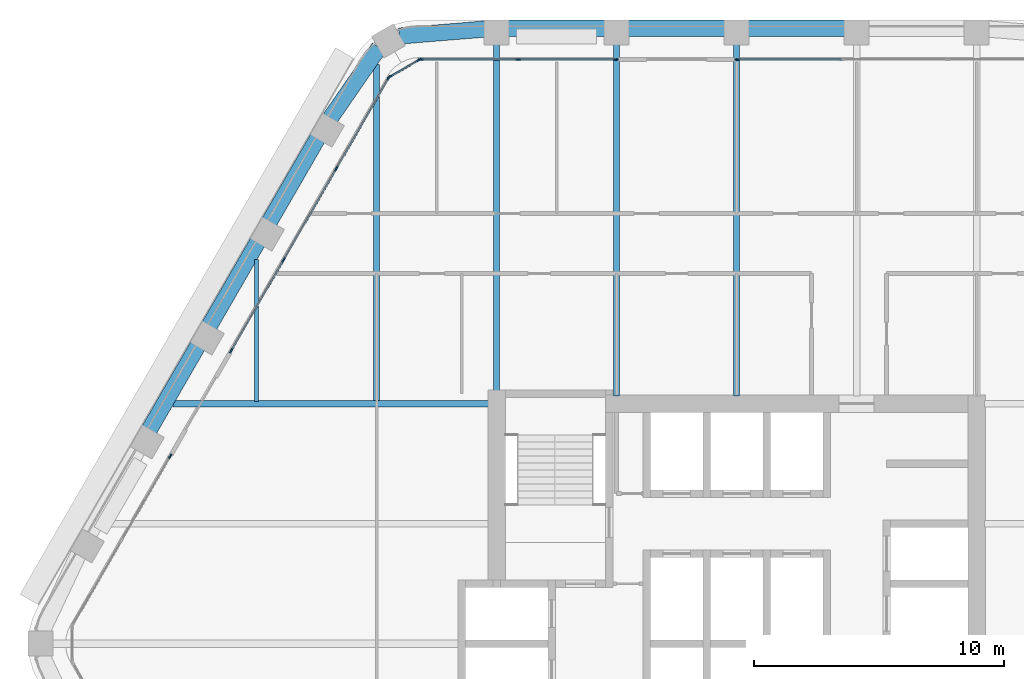
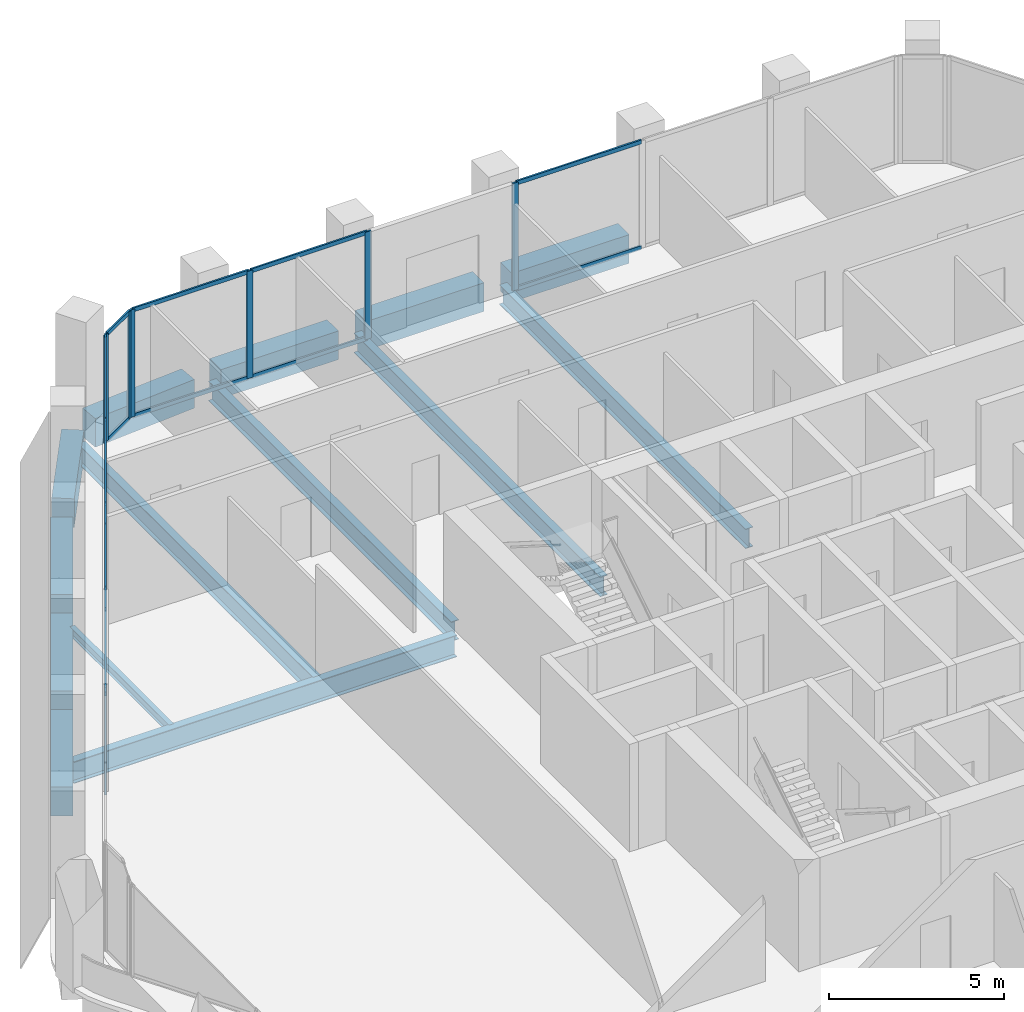
# One storey, part 5 of 15: 25 members, 14 beams, 5 elements without a shape of their own.
"""IFC4 building model written with IfcOpenShell, lengths in metres."""

from ifc_helpers import new_model, si_unit, direction, frame, origin, origin_2d, place, context, subcontext, project, spatial, rectangle, i_section, extrude, material, material_profile, profile_set, type_object, element, aggregate, save


model = new_model("IFC4")

# Units and contexts
model_context = context("Model", 3, precision=1e-05, world=origin(), true_north=direction((0.0, 1.0)))
body_context = subcontext(model_context, "Body", "Model", "MODEL_VIEW")
ifc_project = project(units=[si_unit("LENGTHUNIT", "METRE"), si_unit("AREAUNIT", "SQUARE_METRE"), si_unit("VOLUMEUNIT", "CUBIC_METRE"), si_unit("PLANEANGLEUNIT", "RADIAN"), si_unit("MASSUNIT", "GRAM", prefix="KILO")], contexts=[model_context])

# Site, building, storey
site_placement = place(None, origin())
site = spatial("IfcSite", under=ifc_project, at=site_placement, CompositionType="ELEMENT")
building_placement = place(site_placement, origin())
building = spatial("IfcBuilding", under=site, at=building_placement, Name="Kolab Exchange Tower", CompositionType="ELEMENT")
storey_placement = place(building_placement, frame((0.0, 0.0, 189.5)))
storey = spatial("IfcBuildingStorey", under=building, at=storey_placement, Name="L40", CompositionType="ELEMENT", Elevation=189.5)

# Beams
ifc_material_1 = material(Name="Steel S355", Category="steel")
ifc_material_profile_1 = material_profile(ifc_material_1, i_section(OverallWidth=0.1650390625, OverallDepth=0.31005859375, WebThickness=0.005859375, FlangeThickness=0.009765625, at=origin_2d()), Name="W310X39")
ifc_profile_set_1 = profile_set([ifc_material_profile_1], Name="Steel S355")
beam_type_1 = type_object("IfcBeamType", Name="FLOOR BEAM W310X39", PredefinedType="BEAM", material=ifc_profile_set_1)
beam_1_placement = place(storey_placement, frame((-19.199951171875, 9.693603515625, -0.304931640625), z_axis=(0.0, 1.0, 0.0), x_axis=(-1.0, 0.0, 0.0)))
element("IfcBeam", 1, at=beam_1_placement, inside=storey, type_object=beam_type_1, Name="beam/L40/fr/004", PredefinedType="BEAM", context=body_context, shape_type="SweptSolid", body=[
    extrude(i_section(OverallWidth=0.1650390625, OverallDepth=0.31005859375, WebThickness=0.005859375, FlangeThickness=0.009765625, at=origin_2d()), origin(), (0.0, 0.0, 1.0), 5.674072265625),
])
ifc_material_profile_2 = material_profile(ifc_material_1, i_section(OverallWidth=0.25390625, OverallDepth=0.68408203125, WebThickness=0.012451171875, FlangeThickness=0.018798828125, at=origin_2d()), Name="W690X140")
ifc_profile_set_2 = profile_set([ifc_material_profile_2], Name="Steel S355")
beam_type_2 = type_object("IfcBeamType", Name="FLOOR BEAM W690X140", PredefinedType="BEAM", material=ifc_profile_set_2)
beam_2_placement = place(storey_placement, frame((-14.39990234375, 9.693603515625, -0.491943359375), z_axis=(0.0, 1.0, 0.0), x_axis=(-1.0, 0.0, 0.0)))
element("IfcBeam", 2, at=beam_2_placement, inside=storey, type_object=beam_type_2, Name="beam/L40/fr/006", PredefinedType="BEAM", context=body_context, shape_type="SweptSolid", body=[
    extrude(i_section(OverallWidth=0.25390625, OverallDepth=0.68408203125, WebThickness=0.012451171875, FlangeThickness=0.018798828125, at=origin_2d()), origin(), (0.0, 0.0, 1.0), 13.462158203125),
])
beam_3_placement = place(storey_placement, frame((-9.60009765625, 10.110107421875, -0.491943359375), z_axis=(0.0, 1.0, 0.0), x_axis=(-1.0, 0.0, 0.0)))
element("IfcBeam", 3, at=beam_3_placement, inside=storey, type_object=beam_type_2, Name="beam/L40/fr/008", PredefinedType="BEAM", context=body_context, shape_type="SweptSolid", body=[
    extrude(i_section(OverallWidth=0.25390625, OverallDepth=0.68408203125, WebThickness=0.012451171875, FlangeThickness=0.018798828125, at=origin_2d()), origin(), (0.0, 0.0, 1.0), 13.871337890625),
])
for number, where, z_axis, x_axis, name in (
    (4, (-4.800048828125, 9.909912109375, -0.491943359375), (0.0, 1.0, 0.0), (-1.0, 0.0, 0.0), "beam/L40/fr/010"),
    (5, (0.0, 9.909912109375, -0.491943359375), (0.0, 1.0, 0.0), (-1.0, 0.0, 0.0), "beam/L40/fr/012"),
):
    element("IfcBeam", number, at=place(storey_placement, frame(where, z_axis=z_axis, x_axis=x_axis)), inside=storey, type_object=beam_type_2, Name=name, PredefinedType="BEAM", context=body_context, shape_type="SweptSolid", body=[
        extrude(i_section(OverallWidth=0.25390625, OverallDepth=0.68408203125, WebThickness=0.012451171875, FlangeThickness=0.018798828125, at=origin_2d()), origin(), (0.0, 0.0, 1.0), 14.071533203125),
    ])
ifc_material_profile_3 = material_profile(ifc_material_1, i_section(OverallWidth=0.26708984375, OverallDepth=0.761962890625, WebThickness=0.014404296875, FlangeThickness=0.021484375, at=origin_2d()), Name="W760X173")
ifc_profile_set_3 = profile_set([ifc_material_profile_3], Name="Steel S355")
beam_type_3 = type_object("IfcBeamType", Name="FLOOR GIRDER W760X173", PredefinedType="BEAM", material=ifc_profile_set_3)
beam_4_placement = place(storey_placement, frame((-22.546875, 9.60009765625, -0.531005859375), z_axis=(1.0, 0.0, 0.0), x_axis=(0.0, 1.0, 0.0)))
element("IfcBeam", 6, at=beam_4_placement, inside=storey, type_object=beam_type_3, Name="beam/L40/gd/001", PredefinedType="BEAM", context=body_context, shape_type="SweptSolid", body=[
    extrude(i_section(OverallWidth=0.26708984375, OverallDepth=0.761962890625, WebThickness=0.014404296875, FlangeThickness=0.021484375, at=origin_2d()), origin(), (0.0, 0.0, 1.0), 12.636962890625),
])
ifc_material_2 = material(Name="Concrete C60/75", Category="concrete")
ifc_material_profile_4 = material_profile(ifc_material_2, rectangle(XDim=0.64990234375, YDim=1.0, at=origin_2d()), Name="RC650X1000")
ifc_profile_set_4 = profile_set([ifc_material_profile_4], Name="Concrete C60/75")
beam_type_4 = type_object("IfcBeamType", Name="SPANDREL BEAM 650X1000 C60/75", PredefinedType="BEAM", material=ifc_profile_set_4)
beam_5_placement = place(storey_placement, frame((-13.493896484375, 24.2998046875, -0.64990234375), z_axis=(0.996708497182, 0.081068931445, 0.0), x_axis=(-0.081068931445, 0.996708497182, 0.0)))
element("IfcBeam", 7, at=beam_5_placement, inside=storey, type_object=beam_type_4, Name="beam/L40/sp/F1-01", PredefinedType="BEAM", context=body_context, shape_type="SweptSolid", body=[
    extrude(rectangle(XDim=0.64990234375, YDim=1.0, at=origin_2d()), origin(), (0.0, 0.0, 1.0), 3.445068359375),
])
beam_6_placement = place(storey_placement, frame((-9.139892578125, 24.616455078125, -0.64990234375), z_axis=(1.0, 0.0, 0.0), x_axis=(0.0, 1.0, 0.0)))
element("IfcBeam", 8, at=beam_6_placement, inside=storey, type_object=beam_type_4, Name="beam/L40/sp/F1-02", PredefinedType="BEAM", context=body_context, shape_type="SweptSolid", body=[
    extrude(rectangle(XDim=0.64990234375, YDim=1.0, at=origin_2d()), origin(), (0.0, 0.0, 1.0), 3.8798828125),
])
for number, where, z_axis, x_axis, name in (
    (9, (-4.340087890625, 24.616455078125, -0.64990234375), (1.0, 0.0, 0.0), (0.0, 1.0, 0.0), "beam/L40/sp/F1-03"),
    (10, (0.4599609375, 24.616455078125, -0.64990234375), (1.0, 0.0, 0.0), (0.0, 1.0, 0.0), "beam/L40/sp/F1-04"),
):
    element("IfcBeam", number, at=place(storey_placement, frame(where, z_axis=z_axis, x_axis=x_axis)), inside=storey, type_object=beam_type_4, Name=name, PredefinedType="BEAM", context=body_context, shape_type="SweptSolid", body=[
        extrude(rectangle(XDim=0.64990234375, YDim=1.0, at=origin_2d()), origin(), (0.0, 0.0, 1.0), 3.880126953125),
    ])
beam_7_placement = place(storey_placement, frame((-23.488525390625, 8.5498046875, -0.64990234375), z_axis=(0.499996613652, 0.866027358884, 0.0), x_axis=(-0.866027358884, 0.499996613652, 0.0)))
element("IfcBeam", 11, at=beam_7_placement, inside=storey, type_object=beam_type_4, Name="beam/L40/sp/F6-03", PredefinedType="BEAM", context=body_context, shape_type="SweptSolid", body=[
    extrude(rectangle(XDim=0.64990234375, YDim=1.0, at=origin_2d()), origin(), (0.0, 0.0, 1.0), 3.8798828125),
])
beam_8_placement = place(storey_placement, frame((-21.088623046875, 12.70654296875, -0.64990234375), z_axis=(0.50001655835, 0.866015843605, 0.0), x_axis=(-0.866015843605, 0.50001655835, 0.0)))
element("IfcBeam", 12, at=beam_8_placement, inside=storey, type_object=beam_type_4, Name="beam/L40/sp/F6-04", PredefinedType="BEAM", context=body_context, shape_type="SweptSolid", body=[
    extrude(rectangle(XDim=0.64990234375, YDim=1.0, at=origin_2d()), origin(), (0.0, 0.0, 1.0), 3.880126953125),
])
beam_9_placement = place(storey_placement, frame((-18.6884765625, 16.863525390625, -0.64990234375), z_axis=(0.499996613652, 0.866027358884, 0.0), x_axis=(-0.866027358884, 0.499996613652, 0.0)))
element("IfcBeam", 13, at=beam_9_placement, inside=storey, type_object=beam_type_4, Name="beam/L40/sp/F6-05", PredefinedType="BEAM", context=body_context, shape_type="SweptSolid", body=[
    extrude(rectangle(XDim=0.64990234375, YDim=1.0, at=origin_2d()), origin(), (0.0, 0.0, 1.0), 3.8798828125),
])
beam_10_placement = place(storey_placement, frame((-16.256103515625, 21.001953125, -0.64990234375), z_axis=(0.568572281073, 0.822633309073, 0.0), x_axis=(-0.822633309073, 0.568572281073, 0.0)))
element("IfcBeam", 14, at=beam_10_placement, inside=storey, type_object=beam_type_4, Name="beam/L40/sp/F6-06", PredefinedType="BEAM", context=body_context, shape_type="SweptSolid", body=[
    extrude(rectangle(XDim=0.64990234375, YDim=1.0, at=origin_2d()), origin(), (0.0, 0.0, 1.0), 3.445068359375),
])

# Curtain wall, members
ifc_material_3 = material(Name="Aluminium EN AW-6063 T6", Category="aluminium")
curtain_wall_type = type_object("IfcCurtainWallType", Name="UNITISED UPPER MID ZONE CURTAIN WALL", PredefinedType="NOTDEFINED", material=ifc_material_3)
curtain_wall_1_placement = place(storey_placement, origin())
curtain_wall_1 = element("IfcCurtainWall", 15, at=curtain_wall_1_placement, inside=storey, type_object=curtain_wall_type, Name="cw/L40/F1-1", PredefinedType="NOTDEFINED")
ifc_material_profile_5 = material_profile(ifc_material_3, rectangle(XDim=0.06005859375, YDim=0.199951171875, at=origin_2d()), Name="RECT 60X200")
ifc_profile_set_5 = profile_set([ifc_material_profile_5], Name="Aluminium EN AW-6063 T6")
member_type_1 = type_object("IfcMemberType", Name="UNITISED UPPER MID ZONE MULLION 60 X 200", PredefinedType="MULLION", material=ifc_profile_set_5)
member_1_placement = place(storey_placement, frame((-12.637939453125, 23.361572265625, 0.0), z_axis=(0.0, 0.0, 1.0), x_axis=(0.0, 1.0, 0.0)))
member_1 = element("IfcMember", 16, at=member_1_placement, type_object=member_type_1, Name="CW3 mullion 1", PredefinedType="MULLION", context=body_context, shape_type="SweptSolid", body=[
    extrude(rectangle(XDim=0.06005859375, YDim=0.199951171875, at=origin_2d()), origin(), (0.0, 0.0, 1.0), 3.75),
])
member_2_placement = place(storey_placement, frame((-8.73388671875, 23.361572265625, 0.0), z_axis=(0.0, 0.0, 1.0), x_axis=(0.0, 1.0, 0.0)))
member_2 = element("IfcMember", 17, at=member_2_placement, type_object=member_type_1, Name="CW3 mullion 2", PredefinedType="MULLION", context=body_context, shape_type="SweptSolid", body=[
    extrude(rectangle(XDim=0.06005859375, YDim=0.199951171875, at=origin_2d()), origin(), (0.0, 0.0, 1.0), 3.75),
])
member_3_placement = place(storey_placement, frame((-4.830078125, 23.361572265625, 0.0), z_axis=(0.0, 0.0, 1.0), x_axis=(0.0, 1.0, 0.0)))
member_3 = element("IfcMember", 18, at=member_3_placement, type_object=member_type_1, Name="CW3 mullion 3", PredefinedType="MULLION", context=body_context, shape_type="SweptSolid", body=[
    extrude(rectangle(XDim=0.06005859375, YDim=0.199951171875, at=origin_2d()), origin(), (0.0, 0.0, 1.0), 3.75),
])

# Curtain wall, member
curtain_wall_2_placement = place(storey_placement, origin())
curtain_wall_2 = element("IfcCurtainWall", 19, at=curtain_wall_2_placement, inside=storey, type_object=curtain_wall_type, Name="cw/L40/F1-2", PredefinedType="NOTDEFINED")
member_4_placement = place(storey_placement, frame((0.030029296875, 23.361572265625, 0.0), z_axis=(0.0, 0.0, 1.0), x_axis=(0.0, 1.0, 0.0)))
member_4 = element("IfcMember", 20, at=member_4_placement, type_object=member_type_1, Name="CW3 mullion 1", PredefinedType="MULLION", context=body_context, shape_type="SweptSolid", body=[
    extrude(rectangle(XDim=0.06005859375, YDim=0.199951171875, at=origin_2d()), origin(), (0.0, 0.0, 1.0), 3.75),
])

curtain_wall_3_placement = place(storey_placement, origin())
curtain_wall_3 = element("IfcCurtainWall", 21, at=curtain_wall_3_placement, inside=storey, type_object=curtain_wall_type, Name="cw/L40/F6-1", PredefinedType="NOTDEFINED")
member_5_placement = place(storey_placement, frame((-22.646728515625, 7.497802734375, 0.0), z_axis=(0.0, 0.0, 1.0), x_axis=(-0.866025440524, 0.499999936366, 0.0)))
member_5 = element("IfcMember", 22, at=member_5_placement, type_object=member_type_1, Name="CW3 mullion 3", PredefinedType="MULLION", context=body_context, shape_type="SweptSolid", body=[
    extrude(rectangle(XDim=0.06005859375, YDim=0.199951171875, at=origin_2d()), origin(), (0.0, 0.0, 1.0), 3.75),
])
aggregate(curtain_wall_3, [member_5])

# Curtain wall, members
curtain_wall_4_placement = place(storey_placement, origin())
curtain_wall_4 = element("IfcCurtainWall", 23, at=curtain_wall_4_placement, inside=storey, type_object=curtain_wall_type, Name="cw/L40/F6-2", PredefinedType="NOTDEFINED")
member_6_placement = place(storey_placement, frame((-20.216796875, 11.706787109375, 0.0), z_axis=(0.0, 0.0, 1.0), x_axis=(-0.866025393644, 0.500000017564, 0.0)))
member_6 = element("IfcMember", 24, at=member_6_placement, type_object=member_type_1, Name="CW3 mullion 1", PredefinedType="MULLION", context=body_context, shape_type="SweptSolid", body=[
    extrude(rectangle(XDim=0.06005859375, YDim=0.199951171875, at=origin_2d()), origin(), (0.0, 0.0, 1.0), 3.75),
])
member_7_placement = place(storey_placement, frame((-18.120361328125, 15.337646484375, 0.0), z_axis=(0.0, 0.0, 1.0), x_axis=(-0.866025393644, 0.500000017564, 0.0)))
member_7 = element("IfcMember", 25, at=member_7_placement, type_object=member_type_1, Name="CW3 mullion 2", PredefinedType="MULLION", context=body_context, shape_type="SweptSolid", body=[
    extrude(rectangle(XDim=0.06005859375, YDim=0.199951171875, at=origin_2d()), origin(), (0.0, 0.0, 1.0), 3.75),
])
member_8_placement = place(storey_placement, frame((-16.009033203125, 18.99462890625, 0.0), z_axis=(0.0, 0.0, 1.0), x_axis=(-0.866025393644, 0.500000017564, 0.0)))
member_8 = element("IfcMember", 26, at=member_8_placement, type_object=member_type_1, Name="CW3 mullion 3", PredefinedType="MULLION", context=body_context, shape_type="SweptSolid", body=[
    extrude(rectangle(XDim=0.06005859375, YDim=0.199951171875, at=origin_2d()), origin(), (0.0, 0.0, 1.0), 3.75),
])
member_9_placement = place(storey_placement, frame((-13.91259765625, 22.62548828125, 0.0), z_axis=(0.0, 0.0, 1.0), x_axis=(-0.866025393644, 0.500000017564, 0.0)))
member_9 = element("IfcMember", 27, at=member_9_placement, type_object=member_type_1, Name="CW3 mullion 4", PredefinedType="MULLION", context=body_context, shape_type="SweptSolid", body=[
    extrude(rectangle(XDim=0.06005859375, YDim=0.199951171875, at=origin_2d()), origin(), (0.0, 0.0, 1.0), 3.75),
])

curtain_wall_5_placement = place(storey_placement, origin())
curtain_wall_5 = element("IfcCurtainWall", 28, at=curtain_wall_5_placement, inside=storey, type_object=curtain_wall_type, Name="cw/L40/F6F1-corner", PredefinedType="NOTDEFINED")
member_10_placement = place(storey_placement, frame((-13.871826171875, 22.66650390625, 0.0), z_axis=(0.0, 0.0, 1.0), x_axis=(-0.50000002237, 0.866025390869, 0.0)))
member_10 = element("IfcMember", 29, at=member_10_placement, type_object=member_type_1, Name="CW3 mullion 1", PredefinedType="MULLION", context=body_context, shape_type="SweptSolid", body=[
    extrude(rectangle(XDim=0.06005859375, YDim=0.199951171875, at=origin_2d()), origin(), (0.0, 0.0, 1.0), 3.75),
])
member_11_placement = place(storey_placement, frame((-12.69384765625, 23.346435546875, 0.0), z_axis=(0.0, 0.0, 1.0), x_axis=(-0.50000002237, 0.866025390869, 0.0)))
member_11 = element("IfcMember", 30, at=member_11_placement, type_object=member_type_1, Name="CW3 mullion 2", PredefinedType="MULLION", context=body_context, shape_type="SweptSolid", body=[
    extrude(rectangle(XDim=0.06005859375, YDim=0.199951171875, at=origin_2d()), origin(), (0.0, 0.0, 1.0), 3.75),
])

# Member
ifc_material_profile_6 = material_profile(ifc_material_3, rectangle(XDim=0.06005859375, YDim=0.139892578125, at=origin_2d()), Name="RECT 60X140")
ifc_profile_set_6 = profile_set([ifc_material_profile_6], Name="Aluminium EN AW-6063 T6")
member_type_2 = type_object("IfcMemberType", Name="UNITISED UPPER MID ZONE TRANSOM 60 X 140", PredefinedType="USERDEFINED", material=ifc_profile_set_6)
member_12_placement = place(storey_placement, frame((-12.60791015625, 23.361572265625, 0.030029296875), z_axis=(1.0, 0.0, 0.0), x_axis=(0.0, 1.0, 0.0)))
member_12 = element("IfcMember", 31, at=member_12_placement, type_object=member_type_2, Name="CW3 transom 1.1", ObjectType="TRANSOM", PredefinedType="USERDEFINED", context=body_context, shape_type="SweptSolid", body=[
    extrude(rectangle(XDim=0.06005859375, YDim=0.139892578125, at=origin_2d()), origin(), (0.0, 0.0, 1.0), 3.843994140625),
])

member_13_placement = place(storey_placement, frame((-12.60791015625, 23.361572265625, 3.719970703125), z_axis=(1.0, 0.0, 0.0), x_axis=(0.0, 1.0, 0.0)))
member_13 = element("IfcMember", 32, at=member_13_placement, type_object=member_type_2, Name="CW3 transom 1.2", ObjectType="TRANSOM", PredefinedType="USERDEFINED", context=body_context, shape_type="SweptSolid", body=[
    extrude(rectangle(XDim=0.06005859375, YDim=0.139892578125, at=origin_2d()), origin(), (0.0, 0.0, 1.0), 3.843994140625),
])

member_14_placement = place(storey_placement, frame((-8.703857421875, 23.361572265625, 0.030029296875), z_axis=(1.0, 0.0, 0.0), x_axis=(0.0, 1.0, 0.0)))
member_14 = element("IfcMember", 33, at=member_14_placement, type_object=member_type_2, Name="CW3 transom 2.1", ObjectType="TRANSOM", PredefinedType="USERDEFINED", context=body_context, shape_type="SweptSolid", body=[
    extrude(rectangle(XDim=0.06005859375, YDim=0.139892578125, at=origin_2d()), origin(), (0.0, 0.0, 1.0), 3.84375),
])

member_15_placement = place(storey_placement, frame((-8.703857421875, 23.361572265625, 3.719970703125), z_axis=(1.0, 0.0, 0.0), x_axis=(0.0, 1.0, 0.0)))
member_15 = element("IfcMember", 34, at=member_15_placement, type_object=member_type_2, Name="CW3 transom 2.2", ObjectType="TRANSOM", PredefinedType="USERDEFINED", context=body_context, shape_type="SweptSolid", body=[
    extrude(rectangle(XDim=0.06005859375, YDim=0.139892578125, at=origin_2d()), origin(), (0.0, 0.0, 1.0), 3.84375),
])

aggregate(curtain_wall_1, [member_1, member_2, member_3, member_12, member_13, member_14, member_15])

member_16_placement = place(storey_placement, frame((0.06005859375, 23.361572265625, 0.030029296875), z_axis=(1.0, 0.0, 0.0), x_axis=(0.0, 1.0, 0.0)))
member_16 = element("IfcMember", 35, at=member_16_placement, type_object=member_type_2, Name="CW3 transom 1.1", ObjectType="TRANSOM", PredefinedType="USERDEFINED", context=body_context, shape_type="SweptSolid", body=[
    extrude(rectangle(XDim=0.06005859375, YDim=0.139892578125, at=origin_2d()), origin(), (0.0, 0.0, 1.0), 4.132568359375),
])

member_17_placement = place(storey_placement, frame((0.06005859375, 23.361572265625, 3.719970703125), z_axis=(1.0, 0.0, 0.0), x_axis=(0.0, 1.0, 0.0)))
member_17 = element("IfcMember", 36, at=member_17_placement, type_object=member_type_2, Name="CW3 transom 1.2", ObjectType="TRANSOM", PredefinedType="USERDEFINED", context=body_context, shape_type="SweptSolid", body=[
    extrude(rectangle(XDim=0.06005859375, YDim=0.139892578125, at=origin_2d()), origin(), (0.0, 0.0, 1.0), 4.132568359375),
])

aggregate(curtain_wall_2, [member_4, member_16, member_17])

member_18_placement = place(storey_placement, frame((-20.20166015625, 11.732666015625, 0.030029296875), z_axis=(0.500001996123, 0.866024251319, 0.0), x_axis=(-0.866024251319, 0.500001996123, 0.0)))
member_18 = element("IfcMember", 37, at=member_18_placement, type_object=member_type_2, Name="CW3 transom 1.1", ObjectType="TRANSOM", PredefinedType="USERDEFINED", context=body_context, shape_type="SweptSolid", body=[
    extrude(rectangle(XDim=0.06005859375, YDim=0.139892578125, at=origin_2d()), origin(), (0.0, 0.0, 1.0), 4.1328125),
])

member_19_placement = place(storey_placement, frame((-20.20166015625, 11.732666015625, 3.719970703125), z_axis=(0.500001996123, 0.866024251319, 0.0), x_axis=(-0.866024251319, 0.500001996123, 0.0)))
member_19 = element("IfcMember", 38, at=member_19_placement, type_object=member_type_2, Name="CW3 transom 1.2", ObjectType="TRANSOM", PredefinedType="USERDEFINED", context=body_context, shape_type="SweptSolid", body=[
    extrude(rectangle(XDim=0.06005859375, YDim=0.139892578125, at=origin_2d()), origin(), (0.0, 0.0, 1.0), 4.1328125),
])

member_20_placement = place(storey_placement, frame((-18.10546875, 15.36376953125, 0.030029296875), z_axis=(0.500037208726, 0.86600392025, 0.0), x_axis=(-0.86600392025, 0.500037208726, 0.0)))
member_20 = element("IfcMember", 39, at=member_20_placement, type_object=member_type_2, Name="CW3 transom 2.1", ObjectType="TRANSOM", PredefinedType="USERDEFINED", context=body_context, shape_type="SweptSolid", body=[
    extrude(rectangle(XDim=0.06005859375, YDim=0.139892578125, at=origin_2d()), origin(), (0.0, 0.0, 1.0), 4.162841796875),
])

member_21_placement = place(storey_placement, frame((-18.10546875, 15.36376953125, 3.719970703125), z_axis=(0.500037208726, 0.86600392025, 0.0), x_axis=(-0.86600392025, 0.500037208726, 0.0)))
member_21 = element("IfcMember", 40, at=member_21_placement, type_object=member_type_2, Name="CW3 transom 2.2", ObjectType="TRANSOM", PredefinedType="USERDEFINED", context=body_context, shape_type="SweptSolid", body=[
    extrude(rectangle(XDim=0.06005859375, YDim=0.139892578125, at=origin_2d()), origin(), (0.0, 0.0, 1.0), 4.162841796875),
])

member_22_placement = place(storey_placement, frame((-15.994140625, 19.0205078125, 0.030029296875), z_axis=(0.500001996123, 0.866024251319, 0.0), x_axis=(-0.866024251319, 0.500001996123, 0.0)))
member_22 = element("IfcMember", 41, at=member_22_placement, type_object=member_type_2, Name="CW3 transom 3.1", ObjectType="TRANSOM", PredefinedType="USERDEFINED", context=body_context, shape_type="SweptSolid", body=[
    extrude(rectangle(XDim=0.06005859375, YDim=0.139892578125, at=origin_2d()), origin(), (0.0, 0.0, 1.0), 4.1328125),
])

member_23_placement = place(storey_placement, frame((-15.994140625, 19.0205078125, 3.719970703125), z_axis=(0.500001996123, 0.866024251319, 0.0), x_axis=(-0.866024251319, 0.500001996123, 0.0)))
member_23 = element("IfcMember", 42, at=member_23_placement, type_object=member_type_2, Name="CW3 transom 3.2", ObjectType="TRANSOM", PredefinedType="USERDEFINED", context=body_context, shape_type="SweptSolid", body=[
    extrude(rectangle(XDim=0.06005859375, YDim=0.139892578125, at=origin_2d()), origin(), (0.0, 0.0, 1.0), 4.1328125),
])

aggregate(curtain_wall_4, [member_6, member_7, member_8, member_9, member_18, member_19, member_20, member_21, member_22, member_23])

member_24_placement = place(storey_placement, frame((-13.845703125, 22.681640625, 0.030029296875), z_axis=(0.86603858612, 0.49997716683, 0.0), x_axis=(-0.49997716683, 0.86603858612, 0.0)))
member_24 = element("IfcMember", 43, at=member_24_placement, type_object=member_type_2, Name="CW3 transom 1.1", ObjectType="TRANSOM", PredefinedType="USERDEFINED", context=body_context, shape_type="SweptSolid", body=[
    extrude(rectangle(XDim=0.06005859375, YDim=0.139892578125, at=origin_2d()), origin(), (0.0, 0.0, 1.0), 1.2998046875),
])

member_25_placement = place(storey_placement, frame((-13.845703125, 22.681640625, 3.719970703125), z_axis=(0.86603858612, 0.49997716683, 0.0), x_axis=(-0.49997716683, 0.86603858612, 0.0)))
member_25 = element("IfcMember", 44, at=member_25_placement, type_object=member_type_2, Name="CW3 transom 1.2", ObjectType="TRANSOM", PredefinedType="USERDEFINED", context=body_context, shape_type="SweptSolid", body=[
    extrude(rectangle(XDim=0.06005859375, YDim=0.139892578125, at=origin_2d()), origin(), (0.0, 0.0, 1.0), 1.2998046875),
])

aggregate(curtain_wall_5, [member_10, member_11, member_24, member_25])

save(model, "model.ifc")
